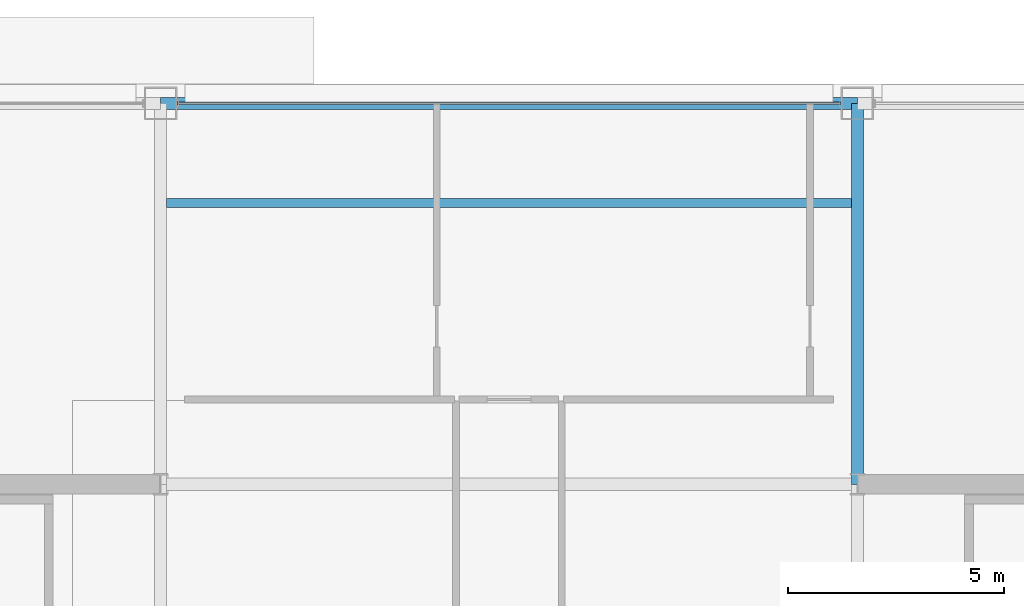
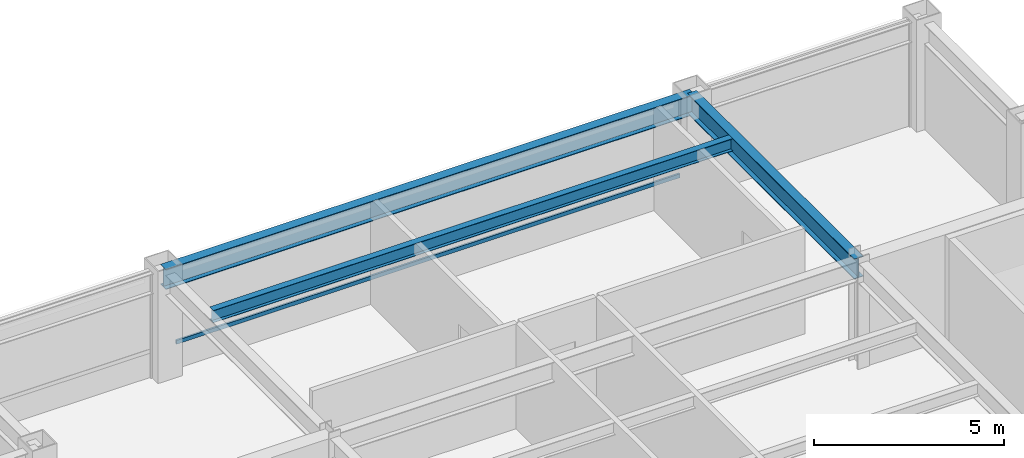
# One storey, part 20 of 26: 3 beams, 1 member, 1 element without a shape of its own.
"""IFC4 building model written with IfcOpenShell, lengths in metres."""

from ifc_helpers import new_model, si_unit, direction, frame, origin, origin_2d, place, context, subcontext, project, spatial, hollow_rectangle, i_section, extrude, material, layer, layer_set, material_profile, profile_set, type_object, element, aggregate, save


model = new_model("IFC4")

# Units and contexts
model_context = context("Model", 3, precision=1e-05, world=origin(), true_north=direction((0.0, 1.0)))
body_context = subcontext(model_context, "Body", "Model", "MODEL_VIEW")
ifc_project = project(units=[si_unit("LENGTHUNIT", "METRE"), si_unit("AREAUNIT", "SQUARE_METRE"), si_unit("VOLUMEUNIT", "CUBIC_METRE"), si_unit("PLANEANGLEUNIT", "RADIAN"), si_unit("MASSUNIT", "GRAM", prefix="KILO")], contexts=[model_context])

# Site, building, storey
site_placement = place(None, origin())
site = spatial("IfcSite", under=ifc_project, at=site_placement, CompositionType="ELEMENT")
building_placement = place(site_placement, origin())
building = spatial("IfcBuilding", under=site, at=building_placement, Name="Brelmoor Portico Tower", CompositionType="ELEMENT")
storey_placement = place(building_placement, frame((0.0, 0.0, 180.300048828125)))
storey = spatial("IfcBuildingStorey", under=building, at=storey_placement, Name="L47", CompositionType="ELEMENT", Elevation=180.300048828125)

# Beams
ifc_material_1 = material(Name="Steel Q355B", Category="steel")
ifc_material_profile_1 = material_profile(ifc_material_1, i_section(OverallWidth=0.199951171875, OverallDepth=0.39990234375, WebThickness=0.008056640625, FlangeThickness=0.012939453125, at=origin_2d()), Name="HN 400x200x8x13")
ifc_profile_set_1 = profile_set([ifc_material_profile_1], Name="Steel Q355B")
beam_type_1 = type_object("IfcBeamType", Name="BM-JS-400", PredefinedType="JOIST", material=ifc_profile_set_1)
beam_1_placement = place(storey_placement, frame((-7.909912109375, 16.25, 3.199951171875), z_axis=(1.0, 0.0, 0.0), x_axis=(0.0, 1.0, 0.0)))
element("IfcBeam", 1, at=beam_1_placement, inside=storey, type_object=beam_type_1, Name="L47 Secondary Composite Joist JS-C04", PredefinedType="JOIST", context=body_context, shape_type="SweptSolid", body=[
    extrude(i_section(OverallWidth=0.199951171875, OverallDepth=0.39990234375, WebThickness=0.008056640625, FlangeThickness=0.012939453125, at=origin_2d()), origin(), (0.0, 0.0, 1.0), 15.81982421875),
])
ifc_material_profile_2 = material_profile(ifc_material_1, i_section(OverallWidth=0.280029296875, OverallDepth=0.64990234375, WebThickness=0.012939453125, FlangeThickness=0.02197265625, at=origin_2d()), Name="HN 650x280x13x22")
ifc_profile_set_2 = profile_set([ifc_material_profile_2], Name="Steel Q355B")
beam_type_2 = type_object("IfcBeamType", Name="BM-PG-650", PredefinedType="BEAM", material=ifc_profile_set_2)
beam_2_placement = place(storey_placement, frame((8.050048828125, 9.75, 3.074951171875), z_axis=(0.0, 1.0, 0.0), x_axis=(-1.0, 0.0, 0.0)))
element("IfcBeam", 2, at=beam_2_placement, inside=storey, type_object=beam_type_2, Name="L47 Primary Floor Girder PG-08", PredefinedType="BEAM", context=body_context, shape_type="SweptSolid", body=[
    extrude(i_section(OverallWidth=0.280029296875, OverallDepth=0.64990234375, WebThickness=0.012939453125, FlangeThickness=0.02197265625, at=origin_2d()), origin(), (0.0, 0.0, 1.0), 8.800048828125),
])
ifc_material_profile_3 = material_profile(ifc_material_1, i_section(OverallWidth=0.280029296875, OverallDepth=0.64990234375, WebThickness=0.012939453125, FlangeThickness=0.02197265625, at=origin_2d()), Name="HN 650x280x13x22")
ifc_profile_set_3 = profile_set([ifc_material_profile_3], Name="Steel Q355B")
beam_type_3 = type_object("IfcBeamType", Name="BM-SP-650", PredefinedType="SPANDREL", material=ifc_profile_set_3)
beam_3_placement = place(storey_placement, frame((-8.050048828125, 18.550048828125, 3.074951171875), z_axis=(1.0, 0.0, 0.0), x_axis=(0.0, 1.0, 0.0)))
element("IfcBeam", 3, at=beam_3_placement, inside=storey, type_object=beam_type_3, Name="L47 Perimeter Spandrel Beam SP-09", PredefinedType="SPANDREL", context=body_context, shape_type="SweptSolid", body=[
    extrude(i_section(OverallWidth=0.280029296875, OverallDepth=0.64990234375, WebThickness=0.012939453125, FlangeThickness=0.02197265625, at=origin_2d()), origin(), (0.0, 0.0, 1.0), 16.10009765625),
])

# Curtain wall, member
ifc_material_2 = material(Name="Anodised Aluminium Alloy 6063-T6", Category="aluminium")
ifc_layer = layer(ifc_material_2, 0.179931640625)
ifc_layer_set = layer_set([ifc_layer], Name="Anodised Aluminium Alloy 6063-T6")
curtain_wall_type = type_object("IfcCurtainWallType", Name="CW-TOWER-Z3", PredefinedType="NOTDEFINED", material=ifc_layer_set)
curtain_wall_placement = place(storey_placement, origin())
curtain_wall = element("IfcCurtainWall", 4, at=curtain_wall_placement, inside=storey, type_object=curtain_wall_type, Name="L47 Curtain Wall CW-L47-02-2", PredefinedType="NOTDEFINED")
ifc_material_profile_4 = material_profile(ifc_material_2, hollow_rectangle(XDim=0.06005859375, YDim=0.125, WallThickness=0.00341796875, at=origin_2d()), Name="ALU TRANSOM 60x125")
ifc_profile_set_4 = profile_set([ifc_material_profile_4], Name="Anodised Aluminium Alloy 6063-T6")
member_type = type_object("IfcMemberType", Name="MB-CW-TRAN-125", PredefinedType="USERDEFINED", material=ifc_profile_set_4)
member_placement = place(storey_placement, frame((-7.6650390625, 18.550048828125, 0.849853515625), z_axis=(1.0, 0.0, 0.0), x_axis=(0.0, 1.0, 0.0)))
member = element("IfcMember", 5, at=member_placement, type_object=member_type, Name="CW-L47-02-2 Transom 1-00", ObjectType="TRANSOM", PredefinedType="USERDEFINED", context=body_context, shape_type="SweptSolid", body=[
    extrude(hollow_rectangle(XDim=0.06005859375, YDim=0.125, WallThickness=0.00341796875, at=origin_2d()), origin(), (0.0, 0.0, 1.0), 15.330078125),
])
aggregate(curtain_wall, [member])

save(model, "model.ifc")
